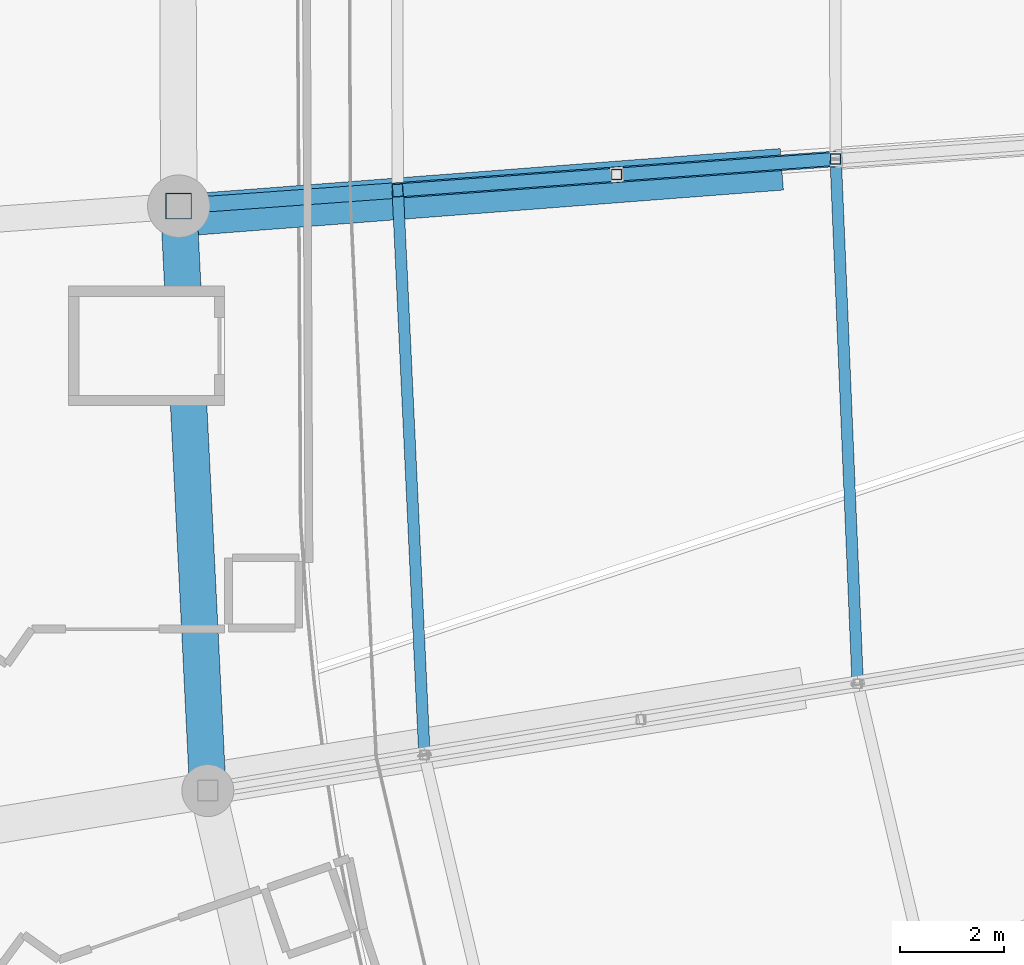
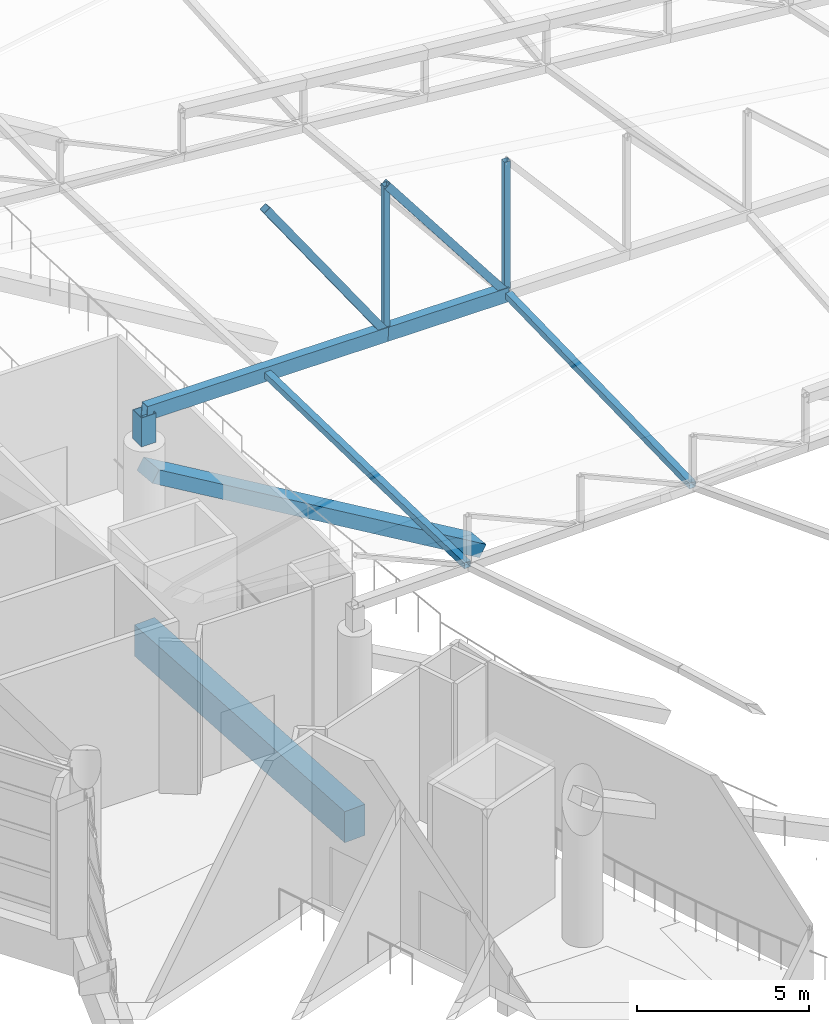
# One storey, part 18 of 344: 9 members, 2 beams.
"""IFC4 building model written with IfcOpenShell, lengths in metres."""

from ifc_helpers import new_model, si_unit, direction, frame, origin, origin_2d, place, context, subcontext, project, spatial, rectangle, hollow_rectangle, extrude, material, material_profile, profile_set, type_object, element, save


model = new_model("IFC4")

# Units and contexts
model_context = context("Model", 3, precision=1e-05, world=origin(), true_north=direction((0.0, 1.0)))
body_context = subcontext(model_context, "Body", "Model", "MODEL_VIEW")
ifc_project = project(units=[si_unit("LENGTHUNIT", "METRE"), si_unit("AREAUNIT", "SQUARE_METRE"), si_unit("VOLUMEUNIT", "CUBIC_METRE"), si_unit("PLANEANGLEUNIT", "RADIAN"), si_unit("MASSUNIT", "GRAM", prefix="KILO")], contexts=[model_context])

# Site, building, storey
site_placement = place(None, origin())
site = spatial("IfcSite", under=ifc_project, at=site_placement, CompositionType="ELEMENT")
building_placement = place(site_placement, origin())
building = spatial("IfcBuilding", under=site, at=building_placement, Name="Meseta Stadium", CompositionType="ELEMENT")
storey_placement = place(building_placement, frame((0.0, 0.0, 24.0)))
storey = spatial("IfcBuildingStorey", under=building, at=storey_placement, Name="L04", CompositionType="ELEMENT", Elevation=24.0)

# Beams
ifc_material_1 = material(Name="Concrete C40/50", Category="concrete")
ifc_material_profile_1 = material_profile(ifc_material_1, rectangle(XDim=0.699951171875, YDim=1.10009765625, at=origin_2d()), Name="RC 700x1100")
ifc_profile_set_1 = profile_set([ifc_material_profile_1], Name="Concrete C40/50")
beam_type_1 = type_object("IfcBeamType", Name="RC beam 700x1100", PredefinedType="BEAM", material=ifc_profile_set_1)
beam_1_placement = place(storey_placement, frame((-84.884033203125, -42.5615234375, -0.949951171875), z_axis=(0.049657379323, -0.998766311346, 0.0), x_axis=(0.998766311346, 0.049657379323, 0.0)))
element("IfcBeam", 1, at=beam_1_placement, inside=storey, type_object=beam_type_1, Name="L04 ring beam frame 36 line P", PredefinedType="BEAM", context=body_context, shape_type="SweptSolid", body=[
    extrude(rectangle(XDim=0.699951171875, YDim=1.10009765625, at=origin_2d()), origin(), (0.0, 0.0, 1.0), 11.25390625),
])
ifc_material_2 = material(Name="Concrete C40/50", Category="concrete")
ifc_material_profile_2 = material_profile(ifc_material_2, rectangle(XDim=0.800048828125, YDim=0.449951171875, at=origin_2d()), Name="RC 800x450")
ifc_profile_set_2 = profile_set([ifc_material_profile_2], Name="Concrete C40/50")
beam_type_2 = type_object("IfcBeamType", Name="RC raker upper rear 800x450", PredefinedType="USERDEFINED", material=ifc_profile_set_2)
beam_2_placement = place(storey_placement, frame((-73.40478515625, -41.8623046875, -2.135498046875), z_axis=(-0.845529088137, -0.06488282659, 0.529972433177), x_axis=(0.076511425531, -0.997068704635, 0.0)))
element("IfcBeam", 2, at=beam_2_placement, inside=storey, type_object=beam_type_2, Name="Raker upper rear frame 36 upper tier", ObjectType="RAKER", PredefinedType="USERDEFINED", context=body_context, shape_type="SweptSolid", body=[
    extrude(rectangle(XDim=0.800048828125, YDim=0.449951171875, at=origin_2d()), origin(), (0.0, 0.0, 1.0), 13.56103515625),
])

# Members
ifc_material_3 = material(Name="Steel S355", Category="steel")
ifc_material_profile_3 = material_profile(ifc_material_3, hollow_rectangle(XDim=0.300048828125, YDim=0.5, WallThickness=0.01611328125, at=origin_2d()), Name="RHS 500x300x16")
ifc_profile_set_3 = profile_set([ifc_material_profile_3], Name="Steel S355")
member_type_1 = type_object("IfcMemberType", Name="RHS 500x300x16 bottom chord", PredefinedType="CHORD", material=ifc_profile_set_3)
member_1_placement = place(storey_placement, frame((-72.25, -41.65234375, 6.268798828125), z_axis=(-0.995643583607, -0.07168633802, 0.059623178079), x_axis=(0.071814098474, -0.997418034357, 0.0)))
element("IfcMember", 3, at=member_1_placement, inside=storey, type_object=member_type_1, Name="ROOF TRUSS RT-36 bottom chord", PredefinedType="CHORD", context=body_context, shape_type="SweptSolid", body=[
    extrude(hollow_rectangle(XDim=0.300048828125, YDim=0.5, WallThickness=0.01611328125, at=origin_2d()), origin(), (0.0, 0.0, 1.0), 4.229736328125),
])
member_2_placement = place(storey_placement, frame((-76.46142578125, -41.95556640625, 6.52099609375), z_axis=(-0.995647450901, -0.071630974032, 0.059625137933), x_axis=(0.071758644231, -0.997422025513, 0.0)))
element("IfcMember", 4, at=member_2_placement, inside=storey, type_object=member_type_1, Name="ROOF TRUSS RT-36 bottom chord", PredefinedType="CHORD", context=body_context, shape_type="SweptSolid", body=[
    extrude(hollow_rectangle(XDim=0.300048828125, YDim=0.5, WallThickness=0.01611328125, at=origin_2d()), origin(), (0.0, 0.0, 1.0), 8.45947265625),
])
ifc_material_4 = material(Name="Steel S355", Category="steel")
ifc_material_profile_4 = material_profile(ifc_material_4, hollow_rectangle(XDim=0.199951171875, YDim=0.199951171875, WallThickness=0.008056640625, at=origin_2d()), Name="SHS 200x200x8")
ifc_profile_set_4 = profile_set([ifc_material_profile_4], Name="Steel S355")
member_type_2 = type_object("IfcMemberType", Name="SHS 200x200x8 post", PredefinedType="POST", material=ifc_profile_set_4)
member_3_placement = place(storey_placement, frame((-72.25, -41.65234375, 6.268798828125), z_axis=(0.0, 0.0, 1.0), x_axis=(1.0, 0.0, 0.0)))
element("IfcMember", 5, at=member_3_placement, inside=storey, type_object=member_type_2, Name="ROOF TRUSS RT-36 post", PredefinedType="POST", context=body_context, shape_type="SweptSolid", body=[
    extrude(hollow_rectangle(XDim=0.199951171875, YDim=0.199951171875, WallThickness=0.008056640625, at=origin_2d()), origin(), (0.0, 0.0, 1.0), 4.68896484375),
])
member_4_placement = place(storey_placement, frame((-76.46142578125, -41.95556640625, 6.52099609375), z_axis=(0.0, 0.0, 1.0), x_axis=(1.0, 0.0, 0.0)))
element("IfcMember", 6, at=member_4_placement, inside=storey, type_object=member_type_2, Name="ROOF TRUSS RT-36 post", PredefinedType="POST", context=body_context, shape_type="SweptSolid", body=[
    extrude(hollow_rectangle(XDim=0.199951171875, YDim=0.199951171875, WallThickness=0.008056640625, at=origin_2d()), origin(), (0.0, 0.0, 1.0), 5.237060546875),
])
ifc_material_5 = material(Name="Steel S355", Category="steel")
ifc_material_profile_5 = material_profile(ifc_material_5, hollow_rectangle(XDim=0.219970703125, YDim=0.219970703125, WallThickness=0.008056640625, at=origin_2d()), Name="SHS 220x220x8")
ifc_profile_set_5 = profile_set([ifc_material_profile_5], Name="Steel S355")
member_type_3 = type_object("IfcMemberType", Name="SHS 220x220x8 strut", PredefinedType="STRUT", material=ifc_profile_set_5)
member_5_placement = place(storey_placement, frame((-72.25, -41.65234375, 6.268798828125), z_axis=(0.041755928322, -0.995544168791, -0.084547326608), x_axis=(0.999121558836, 0.041905974143, 0.0)))
element("IfcMember", 7, at=member_5_placement, inside=storey, type_object=member_type_3, Name="ROOF TRUSS STRUT RT-36/37", PredefinedType="STRUT", context=body_context, shape_type="SweptSolid", body=[
    extrude(hollow_rectangle(XDim=0.219970703125, YDim=0.219970703125, WallThickness=0.008056640625, at=origin_2d()), origin(), (0.0, 0.0, 1.0), 10.138427734375),
])
member_6_placement = place(storey_placement, frame((-80.672607421875, -42.258544921875, 6.773193359375), z_axis=(0.047218772147, -0.998080063546, -0.040082094608), x_axis=(0.998882775782, 0.047256748145, 0.0)))
element("IfcMember", 8, at=member_6_placement, inside=storey, type_object=member_type_3, Name="ROOF TRUSS STRUT RT-36/37", PredefinedType="STRUT", context=body_context, shape_type="SweptSolid", body=[
    extrude(hollow_rectangle(XDim=0.219970703125, YDim=0.219970703125, WallThickness=0.008056640625, at=origin_2d()), origin(), (0.0, 0.0, 1.0), 10.878662109375),
])
ifc_material_6 = material(Name="Steel S355", Category="steel")
ifc_material_profile_6 = material_profile(ifc_material_6, hollow_rectangle(XDim=0.25, YDim=0.25, WallThickness=0.010009765625, at=origin_2d()), Name="SHS 250x250x10")
ifc_profile_set_6 = profile_set([ifc_material_profile_6], Name="Steel S355")
member_type_4 = type_object("IfcMemberType", Name="SHS 250x250x10 diagonal", PredefinedType="BRACE", material=ifc_profile_set_6)
member_7_placement = place(storey_placement, frame((-72.25, -41.65234375, 6.268798828125), z_axis=(-0.608120373067, -0.043784666861, 0.79263643293), x_axis=(0.071814098474, -0.997418034357, 0.0)))
element("IfcMember", 9, at=member_7_placement, inside=storey, type_object=member_type_4, Name="ROOF TRUSS RT-36 diagonal", PredefinedType="BRACE", context=body_context, shape_type="SweptSolid", body=[
    extrude(hollow_rectangle(XDim=0.25, YDim=0.25, WallThickness=0.010009765625, at=origin_2d()), origin(), (0.0, 0.0, 1.0), 6.92529296875),
])
member_8_placement = place(storey_placement, frame((-76.46142578125, -41.95556640625, 6.52099609375), z_axis=(-0.571613030859, -0.041125385315, 0.819492065633), x_axis=(0.071760713601, -0.997421876632, 0.0)))
element("IfcMember", 10, at=member_8_placement, inside=storey, type_object=member_type_4, Name="ROOF TRUSS RT-36 diagonal", PredefinedType="BRACE", context=body_context, shape_type="SweptSolid", body=[
    extrude(hollow_rectangle(XDim=0.25, YDim=0.25, WallThickness=0.010009765625, at=origin_2d()), origin(), (0.0, 0.0, 1.0), 7.3671875),
])
ifc_material_7 = material(Name="Steel S355", Category="steel")
ifc_material_profile_7 = material_profile(ifc_material_7, hollow_rectangle(XDim=0.5, YDim=0.5, WallThickness=0.01611328125, at=origin_2d()), Name="SHS 500x500x16")
ifc_profile_set_7 = profile_set([ifc_material_profile_7], Name="Steel S355")
member_type_5 = type_object("IfcMemberType", Name="SHS 500x500x16 pedestal", PredefinedType="POST", material=ifc_profile_set_7)
member_9_placement = place(storey_placement, frame((-84.884033203125, -42.5615234375, 6.0), z_axis=(0.0, 0.0, 1.0), x_axis=(1.0, 0.0, 0.0)))
element("IfcMember", 11, at=member_9_placement, inside=storey, type_object=member_type_5, Name="ROOF TRUSS RT-36 pedestal", PredefinedType="POST", context=body_context, shape_type="SweptSolid", body=[
    extrude(hollow_rectangle(XDim=0.5, YDim=0.5, WallThickness=0.01611328125, at=origin_2d()), origin(), (0.0, 0.0, 1.0), 1.025390625),
])

save(model, "model.ifc")
